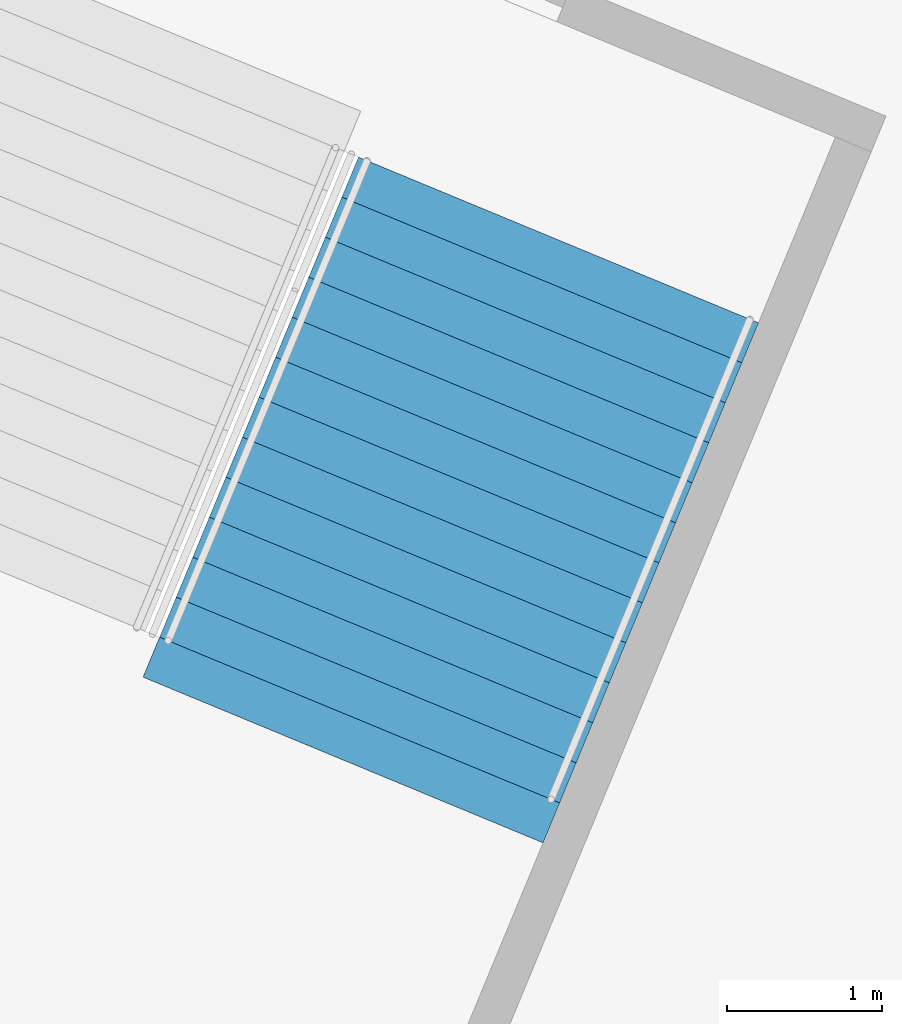
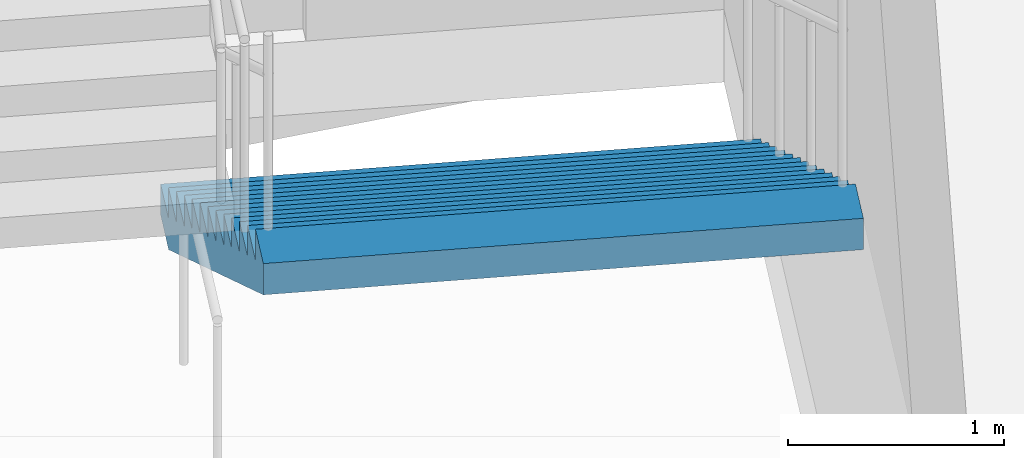
# One storey, part 131 of 249: 1 stair flight, 1 element without a shape of its own.
"""IFC4 building model written with IfcOpenShell, lengths in metres."""

from ifc_helpers import new_model, si_unit, direction, frame, origin, place, context, subcontext, project, spatial, faceted_brep, material, type_object, element, aggregate, save


model = new_model("IFC4")

# Units and contexts
model_context = context("Model", 3, precision=1e-05, world=origin(), true_north=direction((0.0, 1.0)))
body_context = subcontext(model_context, "Body", "Model", "MODEL_VIEW")
ifc_project = project(units=[si_unit("LENGTHUNIT", "METRE"), si_unit("AREAUNIT", "SQUARE_METRE"), si_unit("VOLUMEUNIT", "CUBIC_METRE"), si_unit("PLANEANGLEUNIT", "RADIAN"), si_unit("MASSUNIT", "GRAM", prefix="KILO")], contexts=[model_context])

# Site, building, storey
site_placement = place(None, origin())
site = spatial("IfcSite", under=ifc_project, at=site_placement, CompositionType="ELEMENT")
building_placement = place(site_placement, origin())
building = spatial("IfcBuilding", under=site, at=building_placement, Name="Ogive Plaza Stadium", CompositionType="ELEMENT")
storey_placement = place(building_placement, frame((0.0, 0.0, 13.5)))
storey = spatial("IfcBuildingStorey", under=building, at=storey_placement, Name="L03", CompositionType="ELEMENT", Elevation=13.5)

# Stair, stair flight
ifc_material_1 = material(Name="Concrete C40/50", Category="concrete")
stair_type = type_object("IfcStairType", Name="Exit stair", PredefinedType="STRAIGHT_RUN_STAIR", material=ifc_material_1)
stair_placement = place(storey_placement, origin())
stair = element("IfcStair", 1, at=stair_placement, inside=storey, type_object=stair_type, Name="Exit stair ST18B L03 to L04", PredefinedType="STRAIGHT_RUN_STAIR")
ifc_material_2 = material(Name="Concrete C40/50", Category="concrete")
stair_flight_type = type_object("IfcStairFlightType", Name="Exit stair flight", PredefinedType="STRAIGHT", material=ifc_material_2)
stair_flight_placement = place(storey_placement, frame((-46.118408203125, -93.319580078125, 0.0), z_axis=(0.0, 0.0, 1.0), x_axis=(-0.382683432365, -0.923879532511, 0.0)))
stair_flight = element("IfcStairFlight", 2, at=stair_flight_placement, type_object=stair_flight_type, Name="ST18B flight 1", NumberOfRisers=13, NumberOfTreads=12, PredefinedType="STRAIGHT", RiserHeight=0.173076923, TreadLength=0.28, context=body_context, shape_type="Brep", body=[
    faceted_brep([(0.28515625, -1.39990234375, 0.0), (3.639892578125, -1.39990234375, 2.07373046875), (3.639892578125, -1.39990234375, 2.25), (3.360107421875, -1.39990234375, 2.25), (3.360107421875, -1.39990234375, 2.076904296875), (3.080078125, -1.39990234375, 2.076904296875), (3.080078125, -1.39990234375, 1.90380859375), (2.800048828125, -1.39990234375, 1.90380859375), (2.800048828125, -1.39990234375, 1.730712890625), (2.52001953125, -1.39990234375, 1.730712890625), (2.52001953125, -1.39990234375, 1.5576171875), (2.239990234375, -1.39990234375, 1.5576171875), (2.239990234375, -1.39990234375, 1.384521484375), (1.9599609375, -1.39990234375, 1.384521484375), (1.9599609375, -1.39990234375, 1.21142578125), (1.679931640625, -1.39990234375, 1.21142578125), (1.679931640625, -1.39990234375, 1.03857421875), (1.39990234375, -1.39990234375, 1.03857421875), (1.39990234375, -1.39990234375, 0.865478515625), (1.1201171875, -1.39990234375, 0.865478515625), (1.1201171875, -1.39990234375, 0.6923828125), (0.840087890625, -1.39990234375, 0.6923828125), (0.840087890625, -1.39990234375, 0.519287109375), (0.56005859375, -1.39990234375, 0.519287109375), (0.56005859375, -1.39990234375, 0.34619140625), (0.280029296875, -1.39990234375, 0.34619140625), (0.280029296875, -1.39990234375, 0.173095703125), (0.0, -1.39990234375, 0.173095703125), (0.0, -1.39990234375, 0.0), (0.0, 1.39990234375, 0.0), (0.0, 1.39990234375, 0.173095703125), (0.280029296875, 1.39990234375, 0.173095703125), (0.280029296875, 1.39990234375, 0.34619140625), (0.56005859375, 1.39990234375, 0.34619140625), (0.56005859375, 1.39990234375, 0.519287109375), (0.840087890625, 1.39990234375, 0.519287109375), (0.840087890625, 1.39990234375, 0.6923828125), (1.1201171875, 1.39990234375, 0.6923828125), (1.1201171875, 1.39990234375, 0.865478515625), (1.39990234375, 1.39990234375, 0.865478515625), (1.39990234375, 1.39990234375, 1.03857421875), (1.679931640625, 1.39990234375, 1.03857421875), (1.679931640625, 1.39990234375, 1.21142578125), (1.9599609375, 1.39990234375, 1.21142578125), (1.9599609375, 1.39990234375, 1.384521484375), (2.239990234375, 1.39990234375, 1.384521484375), (2.239990234375, 1.39990234375, 1.5576171875), (2.52001953125, 1.39990234375, 1.5576171875), (2.52001953125, 1.39990234375, 1.730712890625), (2.800048828125, 1.39990234375, 1.730712890625), (2.800048828125, 1.39990234375, 1.90380859375), (3.080078125, 1.39990234375, 1.90380859375), (3.080078125, 1.39990234375, 2.076904296875), (3.360107421875, 1.39990234375, 2.076904296875), (3.360107421875, 1.39990234375, 2.25), (3.639892578125, 1.39990234375, 2.25), (3.639892578125, 1.39990234375, 2.07373046875), (0.28515625, 1.39990234375, 0.0), (0.28515625, -1.0888671875, 0.0), (3.639892578125, -1.0888671875, 2.07373046875), (0.28515625, -0.77783203125, 0.0), (3.639892578125, -0.77783203125, 2.07373046875), (0.28515625, -0.466796875, 0.0), (3.639892578125, -0.466796875, 2.07373046875), (0.28515625, -0.155517578125, 0.0), (3.639892578125, -0.155517578125, 2.07373046875), (0.28515625, 0.155517578125, 0.0), (3.639892578125, 0.155517578125, 2.07373046875), (0.28515625, 0.466796875, 0.0), (3.639892578125, 0.466796875, 2.07373046875), (0.28515625, 0.77783203125, 0.0), (3.639892578125, 0.77783203125, 2.07373046875), (0.28515625, 1.0888671875, 0.0), (3.639892578125, 1.0888671875, 2.07373046875), (3.639892578125, -1.0888671875, 2.25), (3.639892578125, -0.77783203125, 2.25), (3.639892578125, -0.466796875, 2.25), (3.639892578125, -0.155517578125, 2.25), (3.639892578125, 0.155517578125, 2.25), (3.639892578125, 0.466796875, 2.25), (3.639892578125, 0.77783203125, 2.25), (3.639892578125, 1.0888671875, 2.25), (3.360107421875, -1.0888671875, 2.25), (3.360107421875, -0.77783203125, 2.25), (3.360107421875, -0.466796875, 2.25), (3.360107421875, -0.155517578125, 2.25), (3.360107421875, 0.155517578125, 2.25), (3.360107421875, 0.466796875, 2.25), (3.360107421875, 0.77783203125, 2.25), (3.360107421875, 1.0888671875, 2.25), (3.360107421875, -1.0888671875, 2.076904296875), (3.360107421875, -0.77783203125, 2.076904296875), (3.360107421875, -0.466796875, 2.076904296875), (3.360107421875, -0.155517578125, 2.076904296875), (3.360107421875, 0.155517578125, 2.076904296875), (3.360107421875, 0.466796875, 2.076904296875), (3.360107421875, 0.77783203125, 2.076904296875), (3.360107421875, 1.0888671875, 2.076904296875), (3.080078125, -1.0888671875, 2.076904296875), (3.080078125, -0.77783203125, 2.076904296875), (3.080078125, -0.466796875, 2.076904296875), (3.080078125, -0.155517578125, 2.076904296875), (3.080078125, 0.155517578125, 2.076904296875), (3.080078125, 0.466796875, 2.076904296875), (3.080078125, 0.77783203125, 2.076904296875), (3.080078125, 1.0888671875, 2.076904296875), (3.080078125, -1.0888671875, 1.90380859375), (3.080078125, -0.77783203125, 1.90380859375), (3.080078125, -0.466796875, 1.90380859375), (3.080078125, -0.155517578125, 1.90380859375), (3.080078125, 0.155517578125, 1.90380859375), (3.080078125, 0.466796875, 1.90380859375), (3.080078125, 0.77783203125, 1.90380859375), (3.080078125, 1.0888671875, 1.90380859375), (2.800048828125, -1.0888671875, 1.90380859375), (2.800048828125, -0.77783203125, 1.90380859375), (2.800048828125, -0.466796875, 1.90380859375), (2.800048828125, -0.155517578125, 1.90380859375), (2.800048828125, 0.155517578125, 1.90380859375), (2.800048828125, 0.466796875, 1.90380859375), (2.800048828125, 0.77783203125, 1.90380859375), (2.800048828125, 1.0888671875, 1.90380859375), (2.800048828125, -1.0888671875, 1.730712890625), (2.800048828125, -0.77783203125, 1.730712890625), (2.800048828125, -0.466796875, 1.730712890625), (2.800048828125, -0.155517578125, 1.730712890625), (2.800048828125, 0.155517578125, 1.730712890625), (2.800048828125, 0.466796875, 1.730712890625), (2.800048828125, 0.77783203125, 1.730712890625), (2.800048828125, 1.0888671875, 1.730712890625), (2.52001953125, -1.0888671875, 1.730712890625), (2.52001953125, -0.77783203125, 1.730712890625), (2.52001953125, -0.466796875, 1.730712890625), (2.52001953125, -0.155517578125, 1.730712890625), (2.52001953125, 0.155517578125, 1.730712890625), (2.52001953125, 0.466796875, 1.730712890625), (2.52001953125, 0.77783203125, 1.730712890625), (2.52001953125, 1.0888671875, 1.730712890625), (2.52001953125, -1.0888671875, 1.5576171875), (2.52001953125, -0.77783203125, 1.5576171875), (2.52001953125, -0.466796875, 1.5576171875), (2.52001953125, -0.155517578125, 1.5576171875), (2.52001953125, 0.155517578125, 1.5576171875), (2.52001953125, 0.466796875, 1.5576171875), (2.52001953125, 0.77783203125, 1.5576171875), (2.52001953125, 1.0888671875, 1.5576171875), (2.239990234375, -1.0888671875, 1.5576171875), (2.239990234375, -0.77783203125, 1.5576171875), (2.239990234375, -0.466796875, 1.5576171875), (2.239990234375, -0.155517578125, 1.5576171875), (2.239990234375, 0.155517578125, 1.5576171875), (2.239990234375, 0.466796875, 1.5576171875), (2.239990234375, 0.77783203125, 1.5576171875), (2.239990234375, 1.0888671875, 1.5576171875), (2.239990234375, -1.0888671875, 1.384521484375), (2.239990234375, -0.77783203125, 1.384521484375), (2.239990234375, -0.466796875, 1.384521484375), (2.239990234375, -0.155517578125, 1.384521484375), (2.239990234375, 0.155517578125, 1.384521484375), (2.239990234375, 0.466796875, 1.384521484375), (2.239990234375, 0.77783203125, 1.384521484375), (2.239990234375, 1.0888671875, 1.384521484375), (1.9599609375, -1.0888671875, 1.384521484375), (1.9599609375, -0.77783203125, 1.384521484375), (1.9599609375, -0.466796875, 1.384521484375), (1.9599609375, -0.155517578125, 1.384521484375), (1.9599609375, 0.155517578125, 1.384521484375), (1.9599609375, 0.466796875, 1.384521484375), (1.9599609375, 0.77783203125, 1.384521484375), (1.9599609375, 1.0888671875, 1.384521484375), (1.9599609375, -1.0888671875, 1.21142578125), (1.9599609375, -0.77783203125, 1.21142578125), (1.9599609375, -0.466796875, 1.21142578125), (1.9599609375, -0.155517578125, 1.21142578125), (1.9599609375, 0.155517578125, 1.21142578125), (1.9599609375, 0.466796875, 1.21142578125), (1.9599609375, 0.77783203125, 1.21142578125), (1.9599609375, 1.0888671875, 1.21142578125), (1.679931640625, -1.0888671875, 1.21142578125), (1.679931640625, -0.77783203125, 1.21142578125), (1.679931640625, -0.466796875, 1.21142578125), (1.679931640625, -0.155517578125, 1.21142578125), (1.679931640625, 0.155517578125, 1.21142578125), (1.679931640625, 0.466796875, 1.21142578125), (1.679931640625, 0.77783203125, 1.21142578125), (1.679931640625, 1.0888671875, 1.21142578125), (1.679931640625, -1.0888671875, 1.03857421875), (1.679931640625, -0.77783203125, 1.03857421875), (1.679931640625, -0.466796875, 1.03857421875), (1.679931640625, -0.155517578125, 1.03857421875), (1.679931640625, 0.155517578125, 1.03857421875), (1.679931640625, 0.466796875, 1.03857421875), (1.679931640625, 0.77783203125, 1.03857421875), (1.679931640625, 1.0888671875, 1.03857421875), (1.39990234375, -1.0888671875, 1.03857421875), (1.39990234375, -0.77783203125, 1.03857421875), (1.39990234375, -0.466796875, 1.03857421875), (1.39990234375, -0.155517578125, 1.03857421875), (1.39990234375, 0.155517578125, 1.03857421875), (1.39990234375, 0.466796875, 1.03857421875), (1.39990234375, 0.77783203125, 1.03857421875), (1.39990234375, 1.0888671875, 1.03857421875), (1.39990234375, -1.0888671875, 0.865478515625), (1.39990234375, -0.77783203125, 0.865478515625), (1.39990234375, -0.466796875, 0.865478515625), (1.39990234375, -0.155517578125, 0.865478515625), (1.39990234375, 0.155517578125, 0.865478515625), (1.39990234375, 0.466796875, 0.865478515625), (1.39990234375, 0.77783203125, 0.865478515625), (1.39990234375, 1.0888671875, 0.865478515625), (1.1201171875, -1.0888671875, 0.865478515625), (1.1201171875, -0.77783203125, 0.865478515625), (1.1201171875, -0.466796875, 0.865478515625), (1.1201171875, -0.155517578125, 0.865478515625), (1.1201171875, 0.155517578125, 0.865478515625), (1.1201171875, 0.466796875, 0.865478515625), (1.1201171875, 0.77783203125, 0.865478515625), (1.1201171875, 1.0888671875, 0.865478515625), (1.1201171875, -1.0888671875, 0.6923828125), (1.1201171875, -0.77783203125, 0.6923828125), (1.1201171875, -0.466796875, 0.6923828125), (1.1201171875, -0.155517578125, 0.6923828125), (1.1201171875, 0.155517578125, 0.6923828125), (1.1201171875, 0.466796875, 0.6923828125), (1.1201171875, 0.77783203125, 0.6923828125), (1.1201171875, 1.0888671875, 0.6923828125), (0.840087890625, -1.0888671875, 0.6923828125), (0.840087890625, -0.77783203125, 0.6923828125), (0.840087890625, -0.466796875, 0.6923828125), (0.840087890625, -0.155517578125, 0.6923828125), (0.840087890625, 0.155517578125, 0.6923828125), (0.840087890625, 0.466796875, 0.6923828125), (0.840087890625, 0.77783203125, 0.6923828125), (0.840087890625, 1.0888671875, 0.6923828125), (0.840087890625, -1.0888671875, 0.519287109375), (0.840087890625, -0.77783203125, 0.519287109375), (0.840087890625, -0.466796875, 0.519287109375), (0.840087890625, -0.155517578125, 0.519287109375), (0.840087890625, 0.155517578125, 0.519287109375), (0.840087890625, 0.466796875, 0.519287109375), (0.840087890625, 0.77783203125, 0.519287109375), (0.840087890625, 1.0888671875, 0.519287109375), (0.56005859375, -1.0888671875, 0.519287109375), (0.56005859375, -0.77783203125, 0.519287109375), (0.56005859375, -0.466796875, 0.519287109375), (0.56005859375, -0.155517578125, 0.519287109375), (0.56005859375, 0.155517578125, 0.519287109375), (0.56005859375, 0.466796875, 0.519287109375), (0.56005859375, 0.77783203125, 0.519287109375), (0.56005859375, 1.0888671875, 0.519287109375), (0.56005859375, -1.0888671875, 0.34619140625), (0.56005859375, -0.77783203125, 0.34619140625), (0.56005859375, -0.466796875, 0.34619140625), (0.56005859375, -0.155517578125, 0.34619140625), (0.56005859375, 0.155517578125, 0.34619140625), (0.56005859375, 0.466796875, 0.34619140625), (0.56005859375, 0.77783203125, 0.34619140625), (0.56005859375, 1.0888671875, 0.34619140625), (0.280029296875, -1.0888671875, 0.34619140625), (0.280029296875, -0.77783203125, 0.34619140625), (0.280029296875, -0.466796875, 0.34619140625), (0.280029296875, -0.155517578125, 0.34619140625), (0.280029296875, 0.155517578125, 0.34619140625), (0.280029296875, 0.466796875, 0.34619140625), (0.280029296875, 0.77783203125, 0.34619140625), (0.280029296875, 1.0888671875, 0.34619140625), (0.280029296875, -1.0888671875, 0.173095703125), (0.280029296875, -0.77783203125, 0.173095703125), (0.280029296875, -0.466796875, 0.173095703125), (0.280029296875, -0.155517578125, 0.173095703125), (0.280029296875, 0.155517578125, 0.173095703125), (0.280029296875, 0.466796875, 0.173095703125), (0.280029296875, 0.77783203125, 0.173095703125), (0.280029296875, 1.0888671875, 0.173095703125), (0.0, -1.0888671875, 0.173095703125), (0.0, -0.77783203125, 0.173095703125), (0.0, -0.466796875, 0.173095703125), (0.0, -0.155517578125, 0.173095703125), (0.0, 0.155517578125, 0.173095703125), (0.0, 0.466796875, 0.173095703125), (0.0, 0.77783203125, 0.173095703125), (0.0, 1.0888671875, 0.173095703125), (0.0, -1.0888671875, 0.0), (0.0, -0.77783203125, 0.0), (0.0, -0.466796875, 0.0), (0.0, -0.155517578125, 0.0), (0.0, 0.155517578125, 0.0), (0.0, 0.466796875, 0.0), (0.0, 0.77783203125, 0.0), (0.0, 1.0888671875, 0.0)], [[[0, 1, 2, 3, 4, 5, 6, 7, 8, 9, 10, 11, 12, 13, 14, 15, 16, 17, 18, 19, 20, 21, 22, 23, 24, 25, 26, 27, 28]], [[29, 30, 31, 32, 33, 34, 35, 36, 37, 38, 39, 40, 41, 42, 43, 44, 45, 46, 47, 48, 49, 50, 51, 52, 53, 54, 55, 56, 57]], [[0, 58, 59, 1]], [[58, 60, 61, 59]], [[60, 62, 63, 61]], [[62, 64, 65, 63]], [[64, 66, 67, 65]], [[66, 68, 69, 67]], [[68, 70, 71, 69]], [[70, 72, 73, 71]], [[72, 57, 56, 73]], [[1, 59, 74, 2]], [[59, 61, 75, 74]], [[61, 63, 76, 75]], [[63, 65, 77, 76]], [[65, 67, 78, 77]], [[67, 69, 79, 78]], [[69, 71, 80, 79]], [[71, 73, 81, 80]], [[73, 56, 55, 81]], [[2, 74, 82, 3]], [[74, 75, 83, 82]], [[75, 76, 84, 83]], [[76, 77, 85, 84]], [[77, 78, 86, 85]], [[78, 79, 87, 86]], [[79, 80, 88, 87]], [[80, 81, 89, 88]], [[81, 55, 54, 89]], [[3, 82, 90, 4]], [[82, 83, 91, 90]], [[83, 84, 92, 91]], [[84, 85, 93, 92]], [[85, 86, 94, 93]], [[86, 87, 95, 94]], [[87, 88, 96, 95]], [[88, 89, 97, 96]], [[89, 54, 53, 97]], [[4, 90, 98, 5]], [[90, 91, 99, 98]], [[91, 92, 100, 99]], [[92, 93, 101, 100]], [[93, 94, 102, 101]], [[94, 95, 103, 102]], [[95, 96, 104, 103]], [[96, 97, 105, 104]], [[97, 53, 52, 105]], [[5, 98, 106, 6]], [[98, 99, 107, 106]], [[99, 100, 108, 107]], [[100, 101, 109, 108]], [[101, 102, 110, 109]], [[102, 103, 111, 110]], [[103, 104, 112, 111]], [[104, 105, 113, 112]], [[105, 52, 51, 113]], [[6, 106, 114, 7]], [[106, 107, 115, 114]], [[107, 108, 116, 115]], [[108, 109, 117, 116]], [[109, 110, 118, 117]], [[110, 111, 119, 118]], [[111, 112, 120, 119]], [[112, 113, 121, 120]], [[113, 51, 50, 121]], [[7, 114, 122, 8]], [[114, 115, 123, 122]], [[115, 116, 124, 123]], [[116, 117, 125, 124]], [[117, 118, 126, 125]], [[118, 119, 127, 126]], [[119, 120, 128, 127]], [[120, 121, 129, 128]], [[121, 50, 49, 129]], [[8, 122, 130, 9]], [[122, 123, 131, 130]], [[123, 124, 132, 131]], [[124, 125, 133, 132]], [[125, 126, 134, 133]], [[126, 127, 135, 134]], [[127, 128, 136, 135]], [[128, 129, 137, 136]], [[129, 49, 48, 137]], [[9, 130, 138, 10]], [[130, 131, 139, 138]], [[131, 132, 140, 139]], [[132, 133, 141, 140]], [[133, 134, 142, 141]], [[134, 135, 143, 142]], [[135, 136, 144, 143]], [[136, 137, 145, 144]], [[137, 48, 47, 145]], [[10, 138, 146, 11]], [[138, 139, 147, 146]], [[139, 140, 148, 147]], [[140, 141, 149, 148]], [[141, 142, 150, 149]], [[142, 143, 151, 150]], [[143, 144, 152, 151]], [[144, 145, 153, 152]], [[145, 47, 46, 153]], [[11, 146, 154, 12]], [[146, 147, 155, 154]], [[147, 148, 156, 155]], [[148, 149, 157, 156]], [[149, 150, 158, 157]], [[150, 151, 159, 158]], [[151, 152, 160, 159]], [[152, 153, 161, 160]], [[153, 46, 45, 161]], [[12, 154, 162, 13]], [[154, 155, 163, 162]], [[155, 156, 164, 163]], [[156, 157, 165, 164]], [[157, 158, 166, 165]], [[158, 159, 167, 166]], [[159, 160, 168, 167]], [[160, 161, 169, 168]], [[161, 45, 44, 169]], [[13, 162, 170, 14]], [[162, 163, 171, 170]], [[163, 164, 172, 171]], [[164, 165, 173, 172]], [[165, 166, 174, 173]], [[166, 167, 175, 174]], [[167, 168, 176, 175]], [[168, 169, 177, 176]], [[169, 44, 43, 177]], [[14, 170, 178, 15]], [[170, 171, 179, 178]], [[171, 172, 180, 179]], [[172, 173, 181, 180]], [[173, 174, 182, 181]], [[174, 175, 183, 182]], [[175, 176, 184, 183]], [[176, 177, 185, 184]], [[177, 43, 42, 185]], [[15, 178, 186, 16]], [[178, 179, 187, 186]], [[179, 180, 188, 187]], [[180, 181, 189, 188]], [[181, 182, 190, 189]], [[182, 183, 191, 190]], [[183, 184, 192, 191]], [[184, 185, 193, 192]], [[185, 42, 41, 193]], [[16, 186, 194, 17]], [[186, 187, 195, 194]], [[187, 188, 196, 195]], [[188, 189, 197, 196]], [[189, 190, 198, 197]], [[190, 191, 199, 198]], [[191, 192, 200, 199]], [[192, 193, 201, 200]], [[193, 41, 40, 201]], [[17, 194, 202, 18]], [[194, 195, 203, 202]], [[195, 196, 204, 203]], [[196, 197, 205, 204]], [[197, 198, 206, 205]], [[198, 199, 207, 206]], [[199, 200, 208, 207]], [[200, 201, 209, 208]], [[201, 40, 39, 209]], [[18, 202, 210, 19]], [[202, 203, 211, 210]], [[203, 204, 212, 211]], [[204, 205, 213, 212]], [[205, 206, 214, 213]], [[206, 207, 215, 214]], [[207, 208, 216, 215]], [[208, 209, 217, 216]], [[209, 39, 38, 217]], [[19, 210, 218, 20]], [[210, 211, 219, 218]], [[211, 212, 220, 219]], [[212, 213, 221, 220]], [[213, 214, 222, 221]], [[214, 215, 223, 222]], [[215, 216, 224, 223]], [[216, 217, 225, 224]], [[217, 38, 37, 225]], [[20, 218, 226, 21]], [[218, 219, 227, 226]], [[219, 220, 228, 227]], [[220, 221, 229, 228]], [[221, 222, 230, 229]], [[222, 223, 231, 230]], [[223, 224, 232, 231]], [[224, 225, 233, 232]], [[225, 37, 36, 233]], [[21, 226, 234, 22]], [[226, 227, 235, 234]], [[227, 228, 236, 235]], [[228, 229, 237, 236]], [[229, 230, 238, 237]], [[230, 231, 239, 238]], [[231, 232, 240, 239]], [[232, 233, 241, 240]], [[233, 36, 35, 241]], [[22, 234, 242, 23]], [[234, 235, 243, 242]], [[235, 236, 244, 243]], [[236, 237, 245, 244]], [[237, 238, 246, 245]], [[238, 239, 247, 246]], [[239, 240, 248, 247]], [[240, 241, 249, 248]], [[241, 35, 34, 249]], [[23, 242, 250, 24]], [[242, 243, 251, 250]], [[243, 244, 252, 251]], [[244, 245, 253, 252]], [[245, 246, 254, 253]], [[246, 247, 255, 254]], [[247, 248, 256, 255]], [[248, 249, 257, 256]], [[249, 34, 33, 257]], [[24, 250, 258, 25]], [[250, 251, 259, 258]], [[251, 252, 260, 259]], [[252, 253, 261, 260]], [[253, 254, 262, 261]], [[254, 255, 263, 262]], [[255, 256, 264, 263]], [[256, 257, 265, 264]], [[257, 33, 32, 265]], [[25, 258, 266, 26]], [[258, 259, 267, 266]], [[259, 260, 268, 267]], [[260, 261, 269, 268]], [[261, 262, 270, 269]], [[262, 263, 271, 270]], [[263, 264, 272, 271]], [[264, 265, 273, 272]], [[265, 32, 31, 273]], [[26, 266, 274, 27]], [[266, 267, 275, 274]], [[267, 268, 276, 275]], [[268, 269, 277, 276]], [[269, 270, 278, 277]], [[270, 271, 279, 278]], [[271, 272, 280, 279]], [[272, 273, 281, 280]], [[273, 31, 30, 281]], [[27, 274, 282, 28]], [[274, 275, 283, 282]], [[275, 276, 284, 283]], [[276, 277, 285, 284]], [[277, 278, 286, 285]], [[278, 279, 287, 286]], [[279, 280, 288, 287]], [[280, 281, 289, 288]], [[281, 30, 29, 289]], [[28, 282, 58, 0]], [[282, 283, 60, 58]], [[283, 284, 62, 60]], [[284, 285, 64, 62]], [[285, 286, 66, 64]], [[286, 287, 68, 66]], [[287, 288, 70, 68]], [[288, 289, 72, 70]], [[289, 29, 57, 72]]]),
])
aggregate(stair, [stair_flight])

save(model, "model.ifc")
